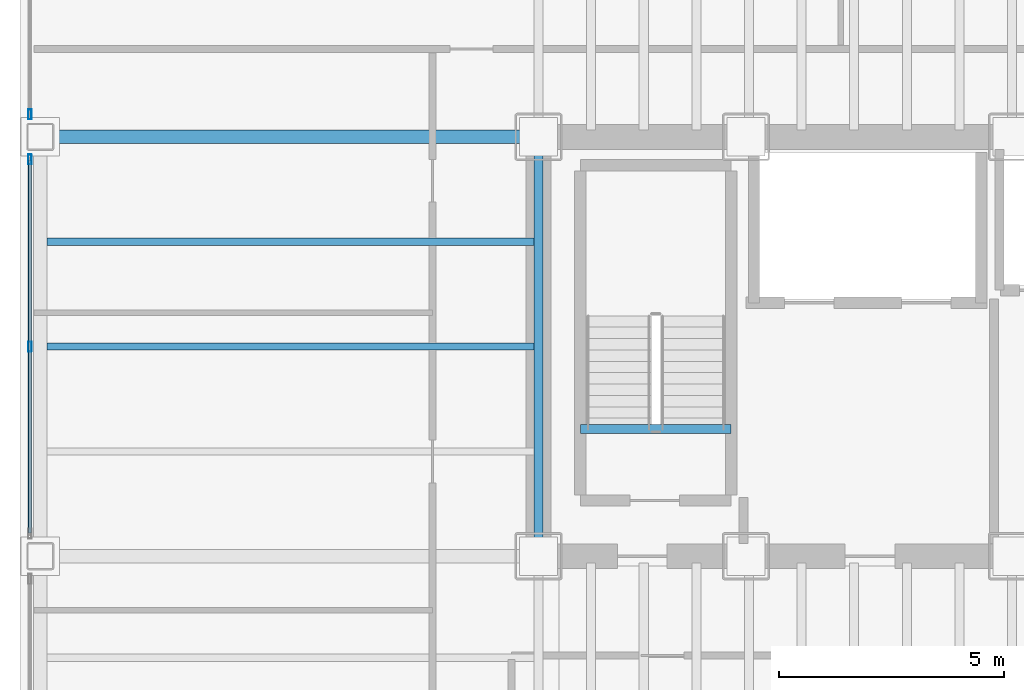
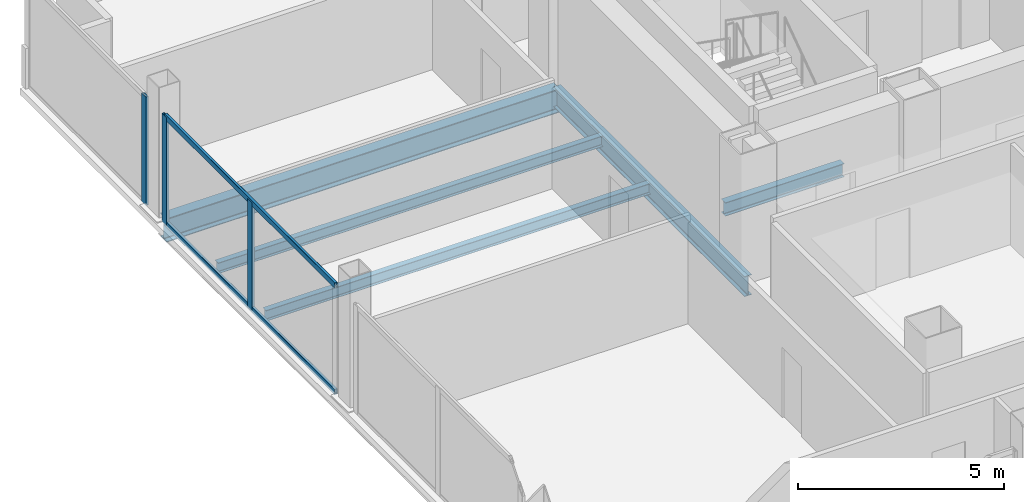
# One storey, part 6 of 21: 5 beams, 5 members, 2 elements without a shape of their own.
"""IFC4 building model written with IfcOpenShell, lengths in metres."""

from ifc_helpers import new_model, si_unit, direction, frame, origin, origin_2d, place, context, subcontext, project, spatial, hollow_rectangle, i_section, extrude, material, material_profile, profile_set, type_object, element, aggregate, save


model = new_model("IFC4")

# Units and contexts
model_context = context("Model", 3, precision=1e-05, world=origin(), true_north=direction((0.0, 1.0)))
body_context = subcontext(model_context, "Body", "Model", "MODEL_VIEW")
ifc_project = project(units=[si_unit("LENGTHUNIT", "METRE"), si_unit("AREAUNIT", "SQUARE_METRE"), si_unit("VOLUMEUNIT", "CUBIC_METRE"), si_unit("PLANEANGLEUNIT", "RADIAN"), si_unit("MASSUNIT", "GRAM", prefix="KILO")], contexts=[model_context])

# Site, building, storey
site_placement = place(None, origin())
site = spatial("IfcSite", under=ifc_project, at=site_placement, CompositionType="ELEMENT")
building_placement = place(site_placement, origin())
building = spatial("IfcBuilding", under=site, at=building_placement, Name="Noeulbin Bourse Tower", CompositionType="ELEMENT")
storey_placement = place(building_placement, frame((0.0, 0.0, 42.10009765625)))
storey = spatial("IfcBuildingStorey", under=building, at=storey_placement, Name="L10", CompositionType="ELEMENT", Elevation=42.10009765625)

# Beams
ifc_material_1 = material(Name="Steel S355", Category="steel")
ifc_material_profile_1 = material_profile(ifc_material_1, i_section(OverallWidth=0.199951171875, OverallDepth=0.60009765625, WebThickness=0.010986328125, FlangeThickness=0.01708984375, FilletRadius=0.02197265625, at=origin_2d()), Name="H-600x200x11x17", Category="LoadBearing")
ifc_profile_set_1 = profile_set([ifc_material_profile_1], Name="Steel S355")
beam_type_1 = type_object("IfcBeamType", Name="BM-GRD-600", PredefinedType="USERDEFINED", material=ifc_profile_set_1)
beam_1_placement = place(storey_placement, frame((13.5, 29.0, -0.47998046875), z_axis=(0.0, 1.0, 0.0), x_axis=(-1.0, 0.0, 0.0)))
element("IfcBeam", 1, at=beam_1_placement, inside=storey, type_object=beam_type_1, Name="Tower Primary Girder NS L10-1.3", ObjectType="GIRDER", PredefinedType="USERDEFINED", context=body_context, shape_type="SweptSolid", body=[
    extrude(i_section(OverallWidth=0.199951171875, OverallDepth=0.60009765625, WebThickness=0.010986328125, FlangeThickness=0.01708984375, FilletRadius=0.02197265625, at=origin_2d()), origin(), (0.0, 0.0, 1.0), 9.300048828125),
])
ifc_material_profile_2 = material_profile(ifc_material_1, i_section(OverallWidth=0.300048828125, OverallDepth=0.699951171875, WebThickness=0.012939453125, FlangeThickness=0.02392578125, FilletRadius=0.02392578125, at=origin_2d()), Name="H-700x300x13x24", Category="LoadBearing")
ifc_profile_set_2 = profile_set([ifc_material_profile_2], Name="Steel S355")
beam_type_2 = type_object("IfcBeamType", Name="BM-GRD-700", PredefinedType="USERDEFINED", material=ifc_profile_set_2)
beam_2_placement = place(storey_placement, frame((2.449951171875, 38.300048828125, -0.530029296875), z_axis=(1.0, 0.0, 0.0), x_axis=(0.0, 1.0, 0.0)))
element("IfcBeam", 2, at=beam_2_placement, inside=storey, type_object=beam_type_2, Name="Tower Primary Girder EW L10-3.1", ObjectType="GIRDER", PredefinedType="USERDEFINED", context=body_context, shape_type="SweptSolid", body=[
    extrude(i_section(OverallWidth=0.300048828125, OverallDepth=0.699951171875, WebThickness=0.012939453125, FlangeThickness=0.02392578125, FilletRadius=0.02392578125, at=origin_2d()), origin(), (0.0, 0.0, 1.0), 11.050048828125),
])
ifc_material_profile_3 = material_profile(ifc_material_1, i_section(OverallWidth=0.159912109375, OverallDepth=0.320068359375, WebThickness=0.006591796875, FlangeThickness=0.010009765625, FilletRadius=0.012939453125, at=origin_2d()), Name="H-320x160x6.5x10", Category="LoadBearing")
ifc_profile_set_3 = profile_set([ifc_material_profile_3], Name="Steel S355")
beam_type_3 = type_object("IfcBeamType", Name="BM-JST-320", PredefinedType="JOIST", material=ifc_profile_set_3)
for number, where, z_axis, x_axis, name in (
    (3, (2.60009765625, 33.64990234375, -0.340087890625), (1.0, 0.0, 0.0), (0.0, 1.0, 0.0), "Wing Composite Joist L10-W74"),
    (4, (2.60009765625, 35.97509765625, -0.340087890625), (1.0, 0.0, 0.0), (0.0, 1.0, 0.0), "Wing Composite Joist L10-W75"),
):
    element("IfcBeam", number, at=place(storey_placement, frame(where, z_axis=z_axis, x_axis=x_axis)), inside=storey, type_object=beam_type_3, Name=name, PredefinedType="JOIST", context=body_context, shape_type="SweptSolid", body=[
        extrude(i_section(OverallWidth=0.159912109375, OverallDepth=0.320068359375, WebThickness=0.006591796875, FlangeThickness=0.010009765625, FilletRadius=0.012939453125, at=origin_2d()), origin(), (0.0, 0.0, 1.0), 10.7998046875),
    ])
ifc_material_profile_4 = material_profile(ifc_material_1, i_section(OverallWidth=0.199951171875, OverallDepth=0.39990234375, WebThickness=0.008056640625, FlangeThickness=0.012939453125, FilletRadius=0.01611328125, at=origin_2d()), Name="H-400x200x8x13", Category="LoadBearing")
ifc_profile_set_4 = profile_set([ifc_material_profile_4], Name="Steel S355")
beam_type_4 = type_object("IfcBeamType", Name="BM-SEC-400", PredefinedType="BEAM", material=ifc_profile_set_4)
beam_3_placement = place(storey_placement, frame((14.429931640625, 31.820068359375, -0.2001953125), z_axis=(1.0, 0.0, 0.0), x_axis=(0.0, 1.0, 0.0)))
element("IfcBeam", 5, at=beam_3_placement, inside=storey, type_object=beam_type_4, Name="Stair Threshold Trimmer Beam ST1-L10", PredefinedType="BEAM", context=body_context, shape_type="SweptSolid", body=[
    extrude(i_section(OverallWidth=0.199951171875, OverallDepth=0.39990234375, WebThickness=0.008056640625, FlangeThickness=0.012939453125, FilletRadius=0.01611328125, at=origin_2d()), origin(), (0.0, 0.0, 1.0), 3.340087890625),
])

# Curtain wall, members
ifc_material_2 = material(Name="Dark Solar-Control Double Glazing", Category="glass")
curtain_wall_type = type_object("IfcCurtainWallType", Name="CW-SYS-2", PredefinedType="NOTDEFINED", material=ifc_material_2)
curtain_wall_1_placement = place(storey_placement, origin())
curtain_wall_1 = element("IfcCurtainWall", 6, at=curtain_wall_1_placement, inside=storey, type_object=curtain_wall_type, Name="Unitised Curtain Wall CW-L10-W-S3", PredefinedType="NOTDEFINED")
ifc_material_3 = material(Name="Anodised Aluminium 6063-T6", Category="aluminium")
ifc_material_profile_5 = material_profile(ifc_material_3, hollow_rectangle(XDim=0.074951171875, YDim=0.219970703125, WallThickness=0.0048828125, InnerFilletRadius=0.00244140625, OuterFilletRadius=0.0048828125, at=origin_2d()), Name="ALU-MULL-75x220x5", Category="LoadBearing")
ifc_profile_set_5 = profile_set([ifc_material_profile_5], Name="Anodised Aluminium 6063-T6")
member_type_1 = type_object("IfcMemberType", Name="CW-SYS-2-MUL", PredefinedType="MULLION", material=ifc_profile_set_5)
member_1_placement = place(storey_placement, frame((2.219970703125, 33.64990234375, -0.02001953125), z_axis=(0.0, 0.0, 1.0), x_axis=(1.0, 0.0, 0.0)))
member_1 = element("IfcMember", 7, at=member_1_placement, type_object=member_type_1, Name="Curtain Wall Mullion CW-L10-W-S3-M01", PredefinedType="MULLION", context=body_context, shape_type="SweptSolid", body=[
    extrude(hollow_rectangle(XDim=0.074951171875, YDim=0.219970703125, WallThickness=0.0048828125, InnerFilletRadius=0.00244140625, OuterFilletRadius=0.0048828125, at=origin_2d()), origin(), (0.0, 0.0, 1.0), 3.219970703125),
])
member_2_placement = place(storey_placement, frame((2.219970703125, 37.800048828125, -0.02001953125), z_axis=(0.0, 0.0, 1.0), x_axis=(1.0, 0.0, 0.0)))
member_2 = element("IfcMember", 8, at=member_2_placement, type_object=member_type_1, Name="Curtain Wall Mullion CW-L10-W-S3-M02", PredefinedType="MULLION", context=body_context, shape_type="SweptSolid", body=[
    extrude(hollow_rectangle(XDim=0.074951171875, YDim=0.219970703125, WallThickness=0.0048828125, InnerFilletRadius=0.00244140625, OuterFilletRadius=0.0048828125, at=origin_2d()), origin(), (0.0, 0.0, 1.0), 3.219970703125),
])

# Curtain wall, member
curtain_wall_2_placement = place(storey_placement, origin())
curtain_wall_2 = element("IfcCurtainWall", 9, at=curtain_wall_2_placement, inside=storey, type_object=curtain_wall_type, Name="Unitised Curtain Wall CW-L10-W-S4", PredefinedType="NOTDEFINED")
member_3_placement = place(storey_placement, frame((2.219970703125, 38.800048828125, -0.02001953125), z_axis=(0.0, 0.0, 1.0), x_axis=(1.0, 0.0, 0.0)))
member_3 = element("IfcMember", 10, at=member_3_placement, type_object=member_type_1, Name="Curtain Wall Mullion CW-L10-W-S4-M00", PredefinedType="MULLION", context=body_context, shape_type="SweptSolid", body=[
    extrude(hollow_rectangle(XDim=0.074951171875, YDim=0.219970703125, WallThickness=0.0048828125, InnerFilletRadius=0.00244140625, OuterFilletRadius=0.0048828125, at=origin_2d()), origin(), (0.0, 0.0, 1.0), 3.219970703125),
])
aggregate(curtain_wall_2, [member_3])

# Member
ifc_material_profile_6 = material_profile(ifc_material_3, hollow_rectangle(XDim=0.074951171875, YDim=0.159912109375, WallThickness=0.0048828125, InnerFilletRadius=0.00244140625, OuterFilletRadius=0.0048828125, at=origin_2d()), Name="ALU-TRAN-75x160x5", Category="LoadBearing")
ifc_profile_set_6 = profile_set([ifc_material_profile_6], Name="Anodised Aluminium 6063-T6")
member_type_2 = type_object("IfcMemberType", Name="CW-SYS-2-TRN", PredefinedType="USERDEFINED", material=ifc_profile_set_6)
member_4_placement = place(storey_placement, frame((2.219970703125, 29.510009765625, 0.010009765625), z_axis=(0.0, 1.0, 0.0), x_axis=(-1.0, 0.0, 0.0)))
member_4 = element("IfcMember", 11, at=member_4_placement, type_object=member_type_2, Name="Curtain Wall Transom CW-L10-W-S3-T00", ObjectType="TRANSOM", PredefinedType="USERDEFINED", context=body_context, shape_type="SweptSolid", body=[
    extrude(hollow_rectangle(XDim=0.074951171875, YDim=0.159912109375, WallThickness=0.0048828125, InnerFilletRadius=0.00244140625, OuterFilletRadius=0.0048828125, at=origin_2d()), origin(), (0.0, 0.0, 1.0), 8.280029296875),
])

member_5_placement = place(storey_placement, frame((2.219970703125, 29.510009765625, 3.169921875), z_axis=(0.0, 1.0, 0.0), x_axis=(-1.0, 0.0, 0.0)))
member_5 = element("IfcMember", 12, at=member_5_placement, type_object=member_type_2, Name="Curtain Wall Transom CW-L10-W-S3-T01", ObjectType="TRANSOM", PredefinedType="USERDEFINED", context=body_context, shape_type="SweptSolid", body=[
    extrude(hollow_rectangle(XDim=0.074951171875, YDim=0.159912109375, WallThickness=0.0048828125, InnerFilletRadius=0.00244140625, OuterFilletRadius=0.0048828125, at=origin_2d()), origin(), (0.0, 0.0, 1.0), 8.280029296875),
])

aggregate(curtain_wall_1, [member_1, member_2, member_4, member_5])

save(model, "model.ifc")
